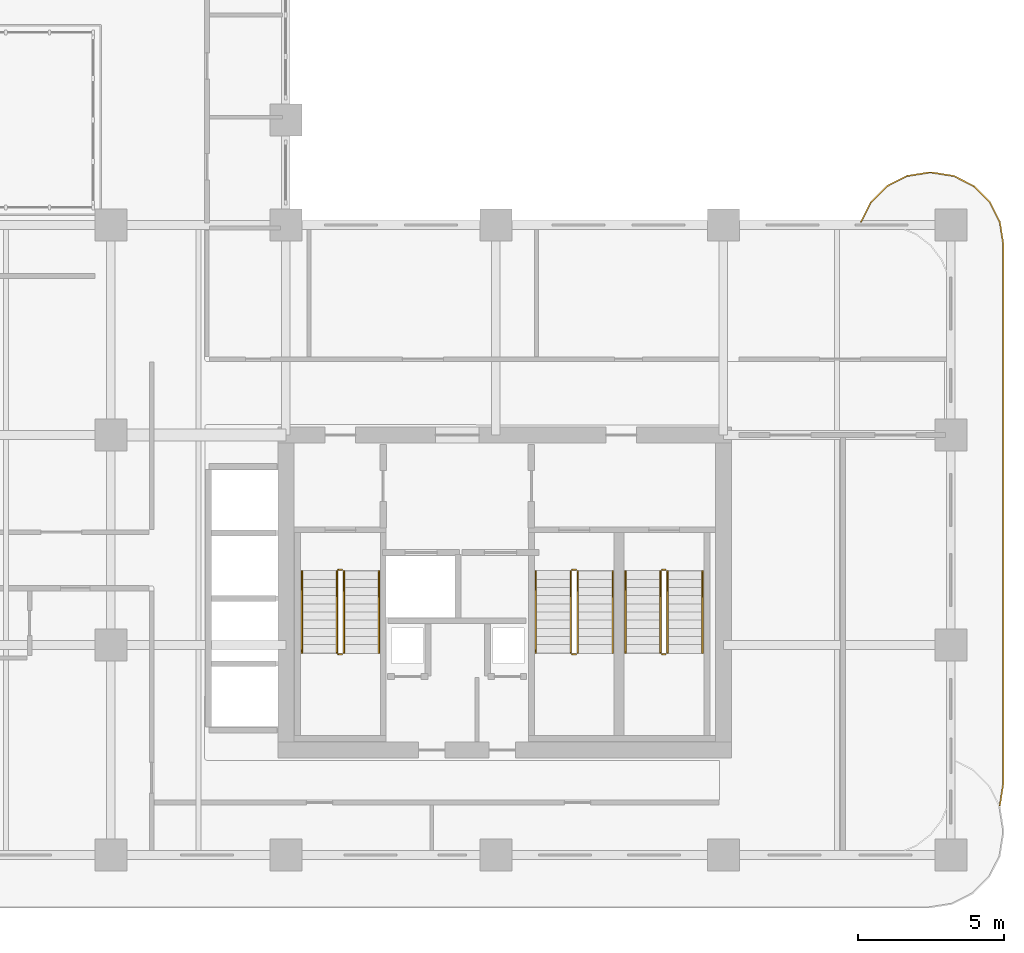
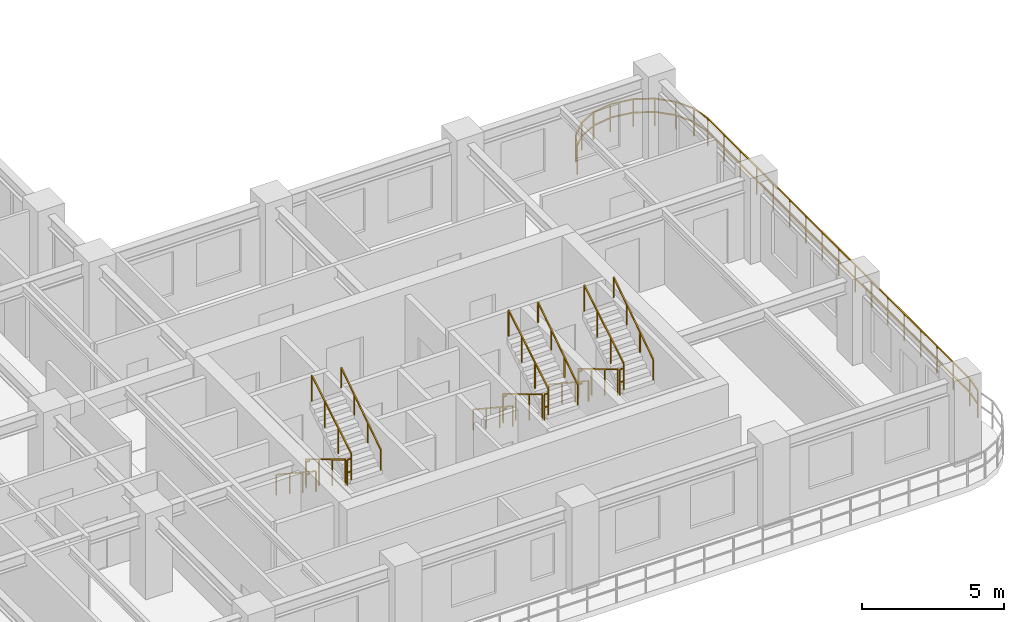
# One storey, part 17 of 19: 19 railings.
"""IFC4 building model written with IfcOpenShell, lengths in metres."""

import ifcopenshell
import ifcopenshell.guid

model = None  # the IFC model being written
_history = None  # IfcOwnerHistory: only IFC2X3 demands one
_inside = {}  # id of a spatial element -> (the spatial element, [elements in it])
_under = {}  # id of a project, library or spatial element -> (it, [spatial elements below it])
_declared = {}  # id of a project -> (the project, [libraries it declares])
_typed = {}  # id of a type object -> (the type object, [elements of that type])
_made_of = {}  # id of a material, layer set ... -> (it, [elements and type objects made of it])


def new_model(schema):
    """Start an empty IFC model of exactly this schema.

    Asked for "IFC4X3", IfcOpenShell would pick the latest addendum, in which some entities
    have other attributes; the version numbers below select the first issue.
    IFC2X3 requires an IfcOwnerHistory on every rooted entity: one is made here for all.
    """
    global model, _history
    if schema == "IFC4X3":
        model = ifcopenshell.file(schema_version=(4, 3, 0, 0))
    else:
        model = ifcopenshell.file(schema=schema)
    _inside.clear()
    _under.clear()
    _declared.clear()
    _typed.clear()
    _made_of.clear()
    _history = None
    if model.schema == "IFC2X3":
        org = make("IfcOrganization", Name="unknown")
        user = make(
            "IfcPersonAndOrganization",
            ThePerson=make("IfcPerson", FamilyName="unknown"),
            TheOrganization=org,
        )
        app = make(
            "IfcApplication",
            ApplicationDeveloper=org,
            Version="unknown",
            ApplicationFullName="unknown",
            ApplicationIdentifier="unknown",
        )
        _history = make(
            "IfcOwnerHistory",
            OwningUser=user,
            OwningApplication=app,
            ChangeAction="ADDED",
            CreationDate=0,
        )
    return model


def make(cls, **values):
    """One entity of the class cls with the attributes given. An attribute that is None is left unset."""
    return model.create_entity(
        cls, **{name: value for name, value in values.items() if value is not None}
    )


def rooted(cls, **values):
    """An entity with a GlobalId (a new one), such as an element, a storey or a relation."""
    return make(cls, GlobalId=ifcopenshell.guid.new(), OwnerHistory=_history, **values)


def si_unit(unit_type, name, prefix=None):
    """IfcSIUnit, for example si_unit("LENGTHUNIT", "METRE", prefix="MILLI")."""
    return make("IfcSIUnit", UnitType=unit_type, Prefix=prefix, Name=name)


def derived_unit(unit_type, elements):
    """IfcDerivedUnit: a product of units, each with its exponent."""
    return make(
        "IfcDerivedUnit",
        Elements=[
            make("IfcDerivedUnitElement", Unit=unit, Exponent=power)
            for unit, power in elements
        ],
        UnitType=unit_type,
    )


def assignment(units):
    """IfcUnitAssignment: the units of a project."""
    return None if units is None else make("IfcUnitAssignment", Units=units)


def point(xyz):
    """IfcCartesianPoint."""
    return None if xyz is None else make("IfcCartesianPoint", Coordinates=xyz)


def direction(xyz):
    """IfcDirection."""
    return None if xyz is None else make("IfcDirection", DirectionRatios=xyz)


def frame(location, z_axis=None, x_axis=None):
    """IfcAxis2Placement3D, a coordinate frame: its origin and axes. An axis left out is left unset."""
    return make(
        "IfcAxis2Placement3D",
        Location=point(location),
        Axis=direction(z_axis),
        RefDirection=direction(x_axis),
    )


def frame_2d(location, x_axis=None):
    """IfcAxis2Placement2D, a coordinate frame in the plane: its origin and x axis."""
    return make(
        "IfcAxis2Placement2D", Location=point(location), RefDirection=direction(x_axis)
    )


def origin():
    """The frame at (0, 0, 0) with its axes left unset."""
    return frame((0.0, 0.0, 0.0))


def origin_2d():
    """The frame at (0, 0) in the plane with its x axis left unset."""
    return frame_2d((0.0, 0.0))


def place(relative_to, where):
    """IfcLocalPlacement: puts the frame where relative to a parent placement (None: the world)."""
    return make(
        "IfcLocalPlacement", PlacementRelTo=relative_to, RelativePlacement=where
    )


def context(
    kind, dimensions, precision=None, world=None, true_north=None, identifier=None
):
    """IfcGeometricRepresentationContext, for example the 3D "Model" context."""
    return make(
        "IfcGeometricRepresentationContext",
        ContextIdentifier=identifier,
        ContextType=kind,
        CoordinateSpaceDimension=dimensions,
        Precision=precision,
        WorldCoordinateSystem=world,
        TrueNorth=true_north,
    )


def subcontext(parent, identifier, kind, view, scale=None):
    """IfcGeometricRepresentationSubContext, for example "Body" below "Model"."""
    return make(
        "IfcGeometricRepresentationSubContext",
        ContextIdentifier=identifier,
        ContextType=kind,
        ParentContext=parent,
        TargetScale=scale,
        TargetView=view,
    )


def project(units=None, contexts=None):
    """IfcProject with its units and contexts."""
    return rooted(
        "IfcProject",
        Name="project",
        RepresentationContexts=contexts,
        UnitsInContext=assignment(units),
    )


def spatial(cls, under=None, at=None, **own):
    """A site, building, storey or space (cls), placed at a placement, below another one or the project."""
    s = rooted(cls, ObjectPlacement=at, **own)
    if under is not None:
        _under.setdefault(under.id(), (under, []))[1].append(s)
    return s


def profile(cls, at=None, kind="AREA", **sizes):
    """A parametric profile (cls). Its sizes go by their IFC names, for example OverallWidth=200.0."""
    return make(cls, ProfileType=kind, Position=at, **sizes)


def rectangle(**sizes):
    """IfcRectangleProfileDef."""
    return profile("IfcRectangleProfileDef", **sizes)


def extrude(swept, where, along, depth):
    """IfcExtrudedAreaSolid: the profile swept, set in the frame where, extruded along a direction by depth."""
    return make(
        "IfcExtrudedAreaSolid",
        SweptArea=swept,
        Position=where,
        ExtrudedDirection=direction(along),
        Depth=depth,
    )


def shape(context_of_items, identifier, shape_type, items):
    """IfcShapeRepresentation: the items that make up one representation, for example the "Body"."""
    return make(
        "IfcShapeRepresentation",
        ContextOfItems=context_of_items,
        RepresentationIdentifier=identifier,
        RepresentationType=shape_type,
        Items=items,
    )


def material(Name=None, Category=None):
    """IfcMaterial."""
    return make("IfcMaterial", Name=Name, Category=Category)


def made_of(thing, what):
    """Note that an element or type object is made of a material, layer set ...; save() writes the relation."""
    if what is not None:
        _made_of.setdefault(what.id(), (what, []))[1].append(thing)
    return thing


def type_object(cls, material=None, **own):
    """A type object (cls), such as IfcWallType, which elements share."""
    return made_of(rooted(cls, **own), material)


def element(
    cls,
    number,
    at=None,
    inside=None,
    cuts=None,
    type_object=None,
    material=None,
    context=None,
    identifier="Body",
    shape_type=None,
    held_by="IfcProductDefinitionShape",
    body=None,
    shapes=None,
    **own,
):
    """One element of the class cls, such as IfcWall. Its Tag is "e" and its number.

    at: its placement. inside: the storey or other place that contains it. cuts: it is an
    opening in that element (IfcRelVoidsElement). A single representation is given by context,
    identifier, shape_type and body (its items); several are given by shapes. held_by: the class
    of the entity that holds the representations. save() writes the other relations.
    """
    e = rooted(cls, Tag="e%d" % number, ObjectPlacement=at, **own)
    if body is not None:
        shapes = [shape(context, identifier, shape_type, body)]
    if shapes is not None:
        e.Representation = make(held_by, Representations=shapes)
    if inside is not None:
        _inside.setdefault(inside.id(), (inside, []))[1].append(e)
    if cuts is not None:
        rooted(
            "IfcRelVoidsElement", RelatingBuildingElement=cuts, RelatedOpeningElement=e
        )
    if type_object is not None:
        _typed.setdefault(type_object.id(), (type_object, []))[1].append(e)
    return made_of(e, material)


def aggregate(whole, parts):
    """IfcRelAggregates: a whole, such as a stair, and the parts it consists of."""
    return rooted("IfcRelAggregates", RelatingObject=whole, RelatedObjects=parts)


def save(model, path):
    """Write the relations noted so far, then the file.

    IfcRelAggregates (storeys below a building ...), IfcRelContainedInSpatialStructure (elements
    in a storey), IfcRelDefinesByType, IfcRelAssociatesMaterial and IfcRelDeclares: one each for
    every whole, place, type object, material and project.
    """
    for whole, parts in _under.values():
        aggregate(whole, parts)
    for where, things in _inside.values():
        rooted(
            "IfcRelContainedInSpatialStructure",
            RelatedElements=things,
            RelatingStructure=where,
        )
    for kind, things in _typed.values():
        rooted("IfcRelDefinesByType", RelatedObjects=things, RelatingType=kind)
    for what, things in _made_of.values():
        rooted("IfcRelAssociatesMaterial", RelatedObjects=things, RelatingMaterial=what)
    for by, libraries in _declared.values():
        rooted("IfcRelDeclares", RelatingContext=by, RelatedDefinitions=libraries)
    model.write(path)


model = new_model("IFC4")

# Units and contexts
model_context = context("Model", 3, precision=1e-05, world=origin(), true_north=direction((0.0, 1.0)))
body_context = subcontext(model_context, "Body", "Model", "MODEL_VIEW")
ifc_project = project(units=[si_unit("LENGTHUNIT", "METRE"), si_unit("AREAUNIT", "SQUARE_METRE"), si_unit("VOLUMEUNIT", "CUBIC_METRE"), si_unit("PLANEANGLEUNIT", "RADIAN"), si_unit("MASSUNIT", "GRAM", prefix="KILO"), si_unit("THERMODYNAMICTEMPERATUREUNIT", "KELVIN"), si_unit("POWERUNIT", "WATT"), derived_unit("THERMALTRANSMITTANCEUNIT", [(si_unit("POWERUNIT", "WATT"), 1), (si_unit("AREAUNIT", "SQUARE_METRE"), -1), (si_unit("THERMODYNAMICTEMPERATUREUNIT", "KELVIN"), -1)])], contexts=[model_context])

# Site, building, storey
site_placement = place(None, origin())
site = spatial("IfcSite", under=ifc_project, at=site_placement, CompositionType="ELEMENT")
building_placement = place(site_placement, origin())
building = spatial("IfcBuilding", under=site, at=building_placement, Name="Zahravan Archway Hotel and Residences", CompositionType="ELEMENT")
storey_placement = place(building_placement, frame((0.0, 0.0, 102.699951171875)))
storey = spatial("IfcBuildingStorey", under=building, at=storey_placement, Name="L25", CompositionType="ELEMENT", Elevation=102.699951171875)

# Railings
ifc_material_1 = material(Name="Bronze & Laminated Glass Balustrade", Category="glass")
railing_type_1 = type_object("IfcRailingType", Name="RL-BAL-1200", PredefinedType="BALUSTRADE", material=ifc_material_1)
railing_1_placement = place(storey_placement, frame((54.52001953125, 21.70703125, 0.0)))
element("IfcRailing", 1, at=railing_1_placement, inside=storey, type_object=railing_type_1, Name="L25 Balustrade RL-SLB-BAL-L25-EA-1", PredefinedType="BALUSTRADE", context=body_context, shape_type="SweptSolid", body=[
    extrude(rectangle(XDim=0.048095703125, YDim=0.048095703125, at=origin_2d()), frame((0.0, 0.0, 1.17578125), z_axis=(0.453825591531, 0.891090529897, 0.0), x_axis=(-0.891090529897, 0.453825591531, 0.0)), (0.0, 0.0, 1.0), 0.7666015625),
    extrude(rectangle(XDim=0.048095703125, YDim=0.048095703125, at=origin_2d()), frame((0.0, 0.0, 0.60009765625), z_axis=(0.453825591531, 0.891090529897, 0.0), x_axis=(-0.891090529897, 0.453825591531, 0.0)), (0.0, 0.0, 1.0), 0.7666015625),
    extrude(rectangle(XDim=0.048095703125, YDim=0.048095703125, at=origin_2d()), frame((0.347900390625, 0.68310546875, 1.17578125), z_axis=(0.707106781187, 0.707106781187, 0.0), x_axis=(-0.707106781187, 0.707106781187, 0.0)), (0.0, 0.0, 1.0), 0.7666015625),
    extrude(rectangle(XDim=0.048095703125, YDim=0.048095703125, at=origin_2d()), frame((0.347900390625, 0.68310546875, 0.60009765625), z_axis=(0.707106781187, 0.707106781187, 0.0), x_axis=(-0.707106781187, 0.707106781187, 0.0)), (0.0, 0.0, 1.0), 0.7666015625),
    extrude(rectangle(XDim=0.048095703125, YDim=0.048095703125, at=origin_2d()), frame((0.889892578125, 1.22509765625, 1.17578125), z_axis=(0.891090529897, 0.453825591531, 0.0), x_axis=(-0.453825591531, 0.891090529897, 0.0)), (0.0, 0.0, 1.0), 0.7666015625),
    extrude(rectangle(XDim=0.048095703125, YDim=0.048095703125, at=origin_2d()), frame((0.889892578125, 1.22509765625, 0.60009765625), z_axis=(0.891090529897, 0.453825591531, 0.0), x_axis=(-0.453825591531, 0.891090529897, 0.0)), (0.0, 0.0, 1.0), 0.7666015625),
    extrude(rectangle(XDim=0.048095703125, YDim=0.048095703125, at=origin_2d()), frame((1.572998046875, 1.572998046875, 1.17578125), z_axis=(0.987695728695, 0.156387811283, 0.0), x_axis=(-0.156387811283, 0.987695728695, 0.0)), (0.0, 0.0, 1.0), 0.7666015625),
    extrude(rectangle(XDim=0.048095703125, YDim=0.048095703125, at=origin_2d()), frame((1.572998046875, 1.572998046875, 0.60009765625), z_axis=(0.987695728695, 0.156387811283, 0.0), x_axis=(-0.156387811283, 0.987695728695, 0.0)), (0.0, 0.0, 1.0), 0.7666015625),
    extrude(rectangle(XDim=0.048095703125, YDim=0.048095703125, at=origin_2d()), frame((2.330078125, 1.69287109375, 1.17578125), z_axis=(1.0, 0.0, 0.0), x_axis=(0.0, 1.0, 0.0)), (0.0, 0.0, 1.0), 0.099853515625),
    extrude(rectangle(XDim=0.048095703125, YDim=0.048095703125, at=origin_2d()), frame((2.330078125, 1.69287109375, 0.60009765625), z_axis=(1.0, 0.0, 0.0), x_axis=(0.0, 1.0, 0.0)), (0.0, 0.0, 1.0), 0.099853515625),
    extrude(rectangle(XDim=0.048095703125, YDim=0.048095703125, at=origin_2d()), frame((2.429931640625, 1.69287109375, 1.17578125), z_axis=(0.987695728695, -0.156387811283, 0.0), x_axis=(0.156387811283, 0.987695728695, 0.0)), (0.0, 0.0, 1.0), 0.7666015625),
    extrude(rectangle(XDim=0.048095703125, YDim=0.048095703125, at=origin_2d()), frame((2.429931640625, 1.69287109375, 0.60009765625), z_axis=(0.987695728695, -0.156387811283, 0.0), x_axis=(0.156387811283, 0.987695728695, 0.0)), (0.0, 0.0, 1.0), 0.7666015625),
    extrude(rectangle(XDim=0.048095703125, YDim=0.048095703125, at=origin_2d()), frame((3.18701171875, 1.572998046875, 1.17578125), z_axis=(0.891090529897, -0.453825591531, 0.0), x_axis=(0.453825591531, 0.891090529897, 0.0)), (0.0, 0.0, 1.0), 0.7666015625),
    extrude(rectangle(XDim=0.048095703125, YDim=0.048095703125, at=origin_2d()), frame((3.18701171875, 1.572998046875, 0.60009765625), z_axis=(0.891090529897, -0.453825591531, 0.0), x_axis=(0.453825591531, 0.891090529897, 0.0)), (0.0, 0.0, 1.0), 0.7666015625),
    extrude(rectangle(XDim=0.048095703125, YDim=0.048095703125, at=origin_2d()), frame((3.8701171875, 1.22509765625, 1.17578125), z_axis=(0.707106781187, -0.707106781187, 0.0), x_axis=(0.707106781187, 0.707106781187, 0.0)), (0.0, 0.0, 1.0), 0.7666015625),
    extrude(rectangle(XDim=0.048095703125, YDim=0.048095703125, at=origin_2d()), frame((3.8701171875, 1.22509765625, 0.60009765625), z_axis=(0.707106781187, -0.707106781187, 0.0), x_axis=(0.707106781187, 0.707106781187, 0.0)), (0.0, 0.0, 1.0), 0.7666015625),
    extrude(rectangle(XDim=0.048095703125, YDim=0.048095703125, at=origin_2d()), frame((4.412109375, 0.68310546875, 1.17578125), z_axis=(0.453825591531, -0.891090529897, 0.0), x_axis=(0.891090529897, 0.453825591531, 0.0)), (0.0, 0.0, 1.0), 0.7666015625),
    extrude(rectangle(XDim=0.048095703125, YDim=0.048095703125, at=origin_2d()), frame((4.412109375, 0.68310546875, 0.60009765625), z_axis=(0.453825591531, -0.891090529897, 0.0), x_axis=(0.891090529897, 0.453825591531, 0.0)), (0.0, 0.0, 1.0), 0.7666015625),
    extrude(rectangle(XDim=0.048095703125, YDim=0.048095703125, at=origin_2d()), frame((4.760009765625, 0.0, 1.17578125), z_axis=(0.156387811283, -0.987695728695, 0.0), x_axis=(0.987695728695, 0.156387811283, 0.0)), (0.0, 0.0, 1.0), 0.7666015625),
    extrude(rectangle(XDim=0.048095703125, YDim=0.048095703125, at=origin_2d()), frame((4.760009765625, 0.0, 0.60009765625), z_axis=(0.156387811283, -0.987695728695, 0.0), x_axis=(0.987695728695, 0.156387811283, 0.0)), (0.0, 0.0, 1.0), 0.7666015625),
    extrude(rectangle(XDim=0.048095703125, YDim=0.048095703125, at=origin_2d()), frame((4.8798828125, -0.757080078125, 1.17578125), z_axis=(0.0, -1.0, 0.0), x_axis=(1.0, 0.0, 0.0)), (0.0, 0.0, 1.0), 18.5),
    extrude(rectangle(XDim=0.048095703125, YDim=0.048095703125, at=origin_2d()), frame((4.8798828125, -0.757080078125, 0.60009765625), z_axis=(0.0, -1.0, 0.0), x_axis=(1.0, 0.0, 0.0)), (0.0, 0.0, 1.0), 18.5),
    extrude(rectangle(XDim=0.048095703125, YDim=0.048095703125, at=origin_2d()), frame((4.8798828125, -19.257080078125, 1.17578125), z_axis=(-0.156387811283, -0.987695728695, 0.0), x_axis=(0.987695728695, -0.156387811283, 0.0)), (0.0, 0.0, 1.0), 0.7666015625),
    extrude(rectangle(XDim=0.048095703125, YDim=0.048095703125, at=origin_2d()), frame((4.8798828125, -19.257080078125, 0.60009765625), z_axis=(-0.156387811283, -0.987695728695, 0.0), x_axis=(0.987695728695, -0.156387811283, 0.0)), (0.0, 0.0, 1.0), 0.7666015625),
    extrude(rectangle(XDim=0.0419921875, YDim=0.0419921875, at=origin_2d()), origin(), (0.0, 0.0, 1.0), 1.15185546875),
    extrude(rectangle(XDim=0.0419921875, YDim=0.0419921875, at=origin_2d()), frame((0.347900390625, 0.68310546875, 0.0)), (0.0, 0.0, 1.0), 1.15185546875),
    extrude(rectangle(XDim=0.0419921875, YDim=0.0419921875, at=origin_2d()), frame((0.889892578125, 1.22509765625, 0.0)), (0.0, 0.0, 1.0), 1.15185546875),
    extrude(rectangle(XDim=0.0419921875, YDim=0.0419921875, at=origin_2d()), frame((1.572998046875, 1.572998046875, 0.0)), (0.0, 0.0, 1.0), 1.15185546875),
    extrude(rectangle(XDim=0.0419921875, YDim=0.0419921875, at=origin_2d()), frame((2.330078125, 1.69287109375, 0.0)), (0.0, 0.0, 1.0), 1.15185546875),
    extrude(rectangle(XDim=0.0419921875, YDim=0.0419921875, at=origin_2d()), frame((3.18701171875, 1.572998046875, 0.0)), (0.0, 0.0, 1.0), 1.15185546875),
    extrude(rectangle(XDim=0.0419921875, YDim=0.0419921875, at=origin_2d()), frame((3.8701171875, 1.22509765625, 0.0)), (0.0, 0.0, 1.0), 1.15185546875),
    extrude(rectangle(XDim=0.0419921875, YDim=0.0419921875, at=origin_2d()), frame((4.412109375, 0.68310546875, 0.0)), (0.0, 0.0, 1.0), 1.15185546875),
    extrude(rectangle(XDim=0.0419921875, YDim=0.0419921875, at=origin_2d()), frame((4.760009765625, 0.0, 0.0)), (0.0, 0.0, 1.0), 1.15185546875),
    extrude(rectangle(XDim=0.0419921875, YDim=0.0419921875, at=origin_2d()), frame((4.8798828125, -0.757080078125, 0.0)), (0.0, 0.0, 1.0), 1.15185546875),
    extrude(rectangle(XDim=0.0419921875, YDim=0.0419921875, at=origin_2d()), frame((4.8798828125, -1.913330078125, 0.0)), (0.0, 0.0, 1.0), 1.15185546875),
    extrude(rectangle(XDim=0.0419921875, YDim=0.0419921875, at=origin_2d()), frame((4.8798828125, -3.069580078125, 0.0)), (0.0, 0.0, 1.0), 1.15185546875),
    extrude(rectangle(XDim=0.0419921875, YDim=0.0419921875, at=origin_2d()), frame((4.8798828125, -4.225830078125, 0.0)), (0.0, 0.0, 1.0), 1.15185546875),
    extrude(rectangle(XDim=0.0419921875, YDim=0.0419921875, at=origin_2d()), frame((4.8798828125, -5.382080078125, 0.0)), (0.0, 0.0, 1.0), 1.15185546875),
    extrude(rectangle(XDim=0.0419921875, YDim=0.0419921875, at=origin_2d()), frame((4.8798828125, -6.538330078125, 0.0)), (0.0, 0.0, 1.0), 1.15185546875),
    extrude(rectangle(XDim=0.0419921875, YDim=0.0419921875, at=origin_2d()), frame((4.8798828125, -7.694580078125, 0.0)), (0.0, 0.0, 1.0), 1.15185546875),
    extrude(rectangle(XDim=0.0419921875, YDim=0.0419921875, at=origin_2d()), frame((4.8798828125, -8.850830078125, 0.0)), (0.0, 0.0, 1.0), 1.15185546875),
    extrude(rectangle(XDim=0.0419921875, YDim=0.0419921875, at=origin_2d()), frame((4.8798828125, -10.007080078125, 0.0)), (0.0, 0.0, 1.0), 1.15185546875),
    extrude(rectangle(XDim=0.0419921875, YDim=0.0419921875, at=origin_2d()), frame((4.8798828125, -11.163330078125, 0.0)), (0.0, 0.0, 1.0), 1.15185546875),
    extrude(rectangle(XDim=0.0419921875, YDim=0.0419921875, at=origin_2d()), frame((4.8798828125, -12.319580078125, 0.0)), (0.0, 0.0, 1.0), 1.15185546875),
    extrude(rectangle(XDim=0.0419921875, YDim=0.0419921875, at=origin_2d()), frame((4.8798828125, -13.475830078125, 0.0)), (0.0, 0.0, 1.0), 1.15185546875),
    extrude(rectangle(XDim=0.0419921875, YDim=0.0419921875, at=origin_2d()), frame((4.8798828125, -14.632080078125, 0.0)), (0.0, 0.0, 1.0), 1.15185546875),
    extrude(rectangle(XDim=0.0419921875, YDim=0.0419921875, at=origin_2d()), frame((4.8798828125, -15.788330078125, 0.0)), (0.0, 0.0, 1.0), 1.15185546875),
    extrude(rectangle(XDim=0.0419921875, YDim=0.0419921875, at=origin_2d()), frame((4.8798828125, -16.944580078125, 0.0)), (0.0, 0.0, 1.0), 1.15185546875),
    extrude(rectangle(XDim=0.0419921875, YDim=0.0419921875, at=origin_2d()), frame((4.8798828125, -18.100830078125, 0.0)), (0.0, 0.0, 1.0), 1.15185546875),
    extrude(rectangle(XDim=0.0419921875, YDim=0.0419921875, at=origin_2d()), frame((4.8798828125, -19.257080078125, 0.0)), (0.0, 0.0, 1.0), 1.15185546875),
    extrude(rectangle(XDim=0.0419921875, YDim=0.0419921875, at=origin_2d()), frame((4.760009765625, -20.01416015625, 0.0)), (0.0, 0.0, 1.0), 1.15185546875),
])
ifc_material_2 = material(Name="Painted Tubular Steel", Category="steel")
railing_type_2 = type_object("IfcRailingType", Name="RL-STG-1150", PredefinedType="GUARDRAIL", material=ifc_material_2)
railing_2_placement = place(storey_placement, frame((36.550048828125, 9.72998046875, 0.168212890625)))
element("IfcRailing", 2, at=railing_2_placement, inside=storey, type_object=railing_type_2, Name="L25 ST-A1 stair guard 1", PredefinedType="GUARDRAIL", context=body_context, shape_type="SweptSolid", body=[
    extrude(rectangle(XDim=0.048095703125, YDim=0.048095703125, at=origin_2d()), frame((0.0, 0.0, 1.1259765625), z_axis=(0.0, -0.857242210791, 0.514913383045), x_axis=(1.0, 0.0, 0.0)), (0.0, 0.0, 1.0), 3.266357421875),
    extrude(rectangle(XDim=0.0419921875, YDim=0.0419921875, at=origin_2d()), origin(), (0.0, 0.0, 1.0), 1.101806640625),
    extrude(rectangle(XDim=0.0419921875, YDim=0.0419921875, at=origin_2d()), frame((0.0, -0.933349609375, 0.560546875)), (0.0, 0.0, 1.0), 1.101806640625),
    extrude(rectangle(XDim=0.0419921875, YDim=0.0419921875, at=origin_2d()), frame((0.0, -1.86669921875, 1.121337890625)), (0.0, 0.0, 1.0), 1.101806640625),
    extrude(rectangle(XDim=0.0419921875, YDim=0.0419921875, at=origin_2d()), frame((0.0, -2.800048828125, 1.681884765625)), (0.0, 0.0, 1.0), 1.101806640625),
])
railing_3_placement = place(storey_placement, frame((36.60009765625, 6.8798828125, 1.85009765625)))
element("IfcRailing", 3, at=railing_3_placement, inside=storey, type_object=railing_type_2, Name="L25 ST-A1 stair guard 2", PredefinedType="GUARDRAIL", context=body_context, shape_type="SweptSolid", body=[
    extrude(rectangle(XDim=0.048095703125, YDim=0.048095703125, at=origin_2d()), frame((0.0, 0.0, 1.1259765625), z_axis=(1.0, 0.0, 0.0), x_axis=(0.0, 1.0, 0.0)), (0.0, 0.0, 1.0), 0.139892578125),
    extrude(rectangle(XDim=0.048095703125, YDim=0.048095703125, at=origin_2d()), frame((0.0, 0.0, 0.574951171875), z_axis=(1.0, 0.0, 0.0), x_axis=(0.0, 1.0, 0.0)), (0.0, 0.0, 1.0), 0.139892578125),
    extrude(rectangle(XDim=0.0419921875, YDim=0.0419921875, at=origin_2d()), origin(), (0.0, 0.0, 1.0), 1.101806640625),
])
railing_4_placement = place(storey_placement, frame((36.7900390625, 6.929931640625, 2.018310546875)))
element("IfcRailing", 4, at=railing_4_placement, inside=storey, type_object=railing_type_2, Name="L25 ST-A1 stair guard 3", PredefinedType="GUARDRAIL", context=body_context, shape_type="SweptSolid", body=[
    extrude(rectangle(XDim=0.048095703125, YDim=0.048095703125, at=origin_2d()), frame((0.0, 0.0, 1.1259765625), z_axis=(0.0, 0.857275202839, 0.514858452973), x_axis=(-1.0, 0.0, 0.0)), (0.0, 0.0, 1.0), 3.26611328125),
    extrude(rectangle(XDim=0.0419921875, YDim=0.0419921875, at=origin_2d()), origin(), (0.0, 0.0, 1.0), 1.101806640625),
    extrude(rectangle(XDim=0.0419921875, YDim=0.0419921875, at=origin_2d()), frame((0.0, 0.933349609375, 0.560546875)), (0.0, 0.0, 1.0), 1.101806640625),
    extrude(rectangle(XDim=0.0419921875, YDim=0.0419921875, at=origin_2d()), frame((0.0, 1.86669921875, 1.12109375)), (0.0, 0.0, 1.0), 1.101806640625),
    extrude(rectangle(XDim=0.0419921875, YDim=0.0419921875, at=origin_2d()), frame((0.0, 2.800048828125, 1.681640625)), (0.0, 0.0, 1.0), 1.101806640625),
])
railing_5_placement = place(storey_placement, frame((36.60009765625, 9.780029296875, 0.0)))
element("IfcRailing", 5, at=railing_5_placement, inside=storey, type_object=railing_type_2, Name="L25 ST-A1 stair guard 4", PredefinedType="GUARDRAIL", context=body_context, shape_type="SweptSolid", body=[
    extrude(rectangle(XDim=0.048095703125, YDim=0.048095703125, at=origin_2d()), frame((0.0, 0.0, 1.1259765625), z_axis=(1.0, 0.0, 0.0), x_axis=(0.0, 1.0, 0.0)), (0.0, 0.0, 1.0), 0.139892578125),
    extrude(rectangle(XDim=0.048095703125, YDim=0.048095703125, at=origin_2d()), frame((0.0, 0.0, 0.574951171875), z_axis=(1.0, 0.0, 0.0), x_axis=(0.0, 1.0, 0.0)), (0.0, 0.0, 1.0), 0.139892578125),
    extrude(rectangle(XDim=0.0419921875, YDim=0.0419921875, at=origin_2d()), origin(), (0.0, 0.0, 1.0), 1.101806640625),
])
railing_6_placement = place(storey_placement, frame((44.570068359375, 9.72998046875, 0.168212890625)))
element("IfcRailing", 6, at=railing_6_placement, inside=storey, type_object=railing_type_2, Name="L25 ST-A2 stair guard 1", PredefinedType="GUARDRAIL", context=body_context, shape_type="SweptSolid", body=[
    extrude(rectangle(XDim=0.048095703125, YDim=0.048095703125, at=origin_2d()), frame((0.0, 0.0, 1.1259765625), z_axis=(0.0, -0.857242210791, 0.514913383045), x_axis=(1.0, 0.0, 0.0)), (0.0, 0.0, 1.0), 3.266357421875),
    extrude(rectangle(XDim=0.0419921875, YDim=0.0419921875, at=origin_2d()), origin(), (0.0, 0.0, 1.0), 1.101806640625),
    extrude(rectangle(XDim=0.0419921875, YDim=0.0419921875, at=origin_2d()), frame((0.0, -0.933349609375, 0.560546875)), (0.0, 0.0, 1.0), 1.101806640625),
    extrude(rectangle(XDim=0.0419921875, YDim=0.0419921875, at=origin_2d()), frame((0.0, -1.86669921875, 1.121337890625)), (0.0, 0.0, 1.0), 1.101806640625),
    extrude(rectangle(XDim=0.0419921875, YDim=0.0419921875, at=origin_2d()), frame((0.0, -2.800048828125, 1.681884765625)), (0.0, 0.0, 1.0), 1.101806640625),
])
railing_7_placement = place(storey_placement, frame((44.6201171875, 6.8798828125, 1.85009765625)))
element("IfcRailing", 7, at=railing_7_placement, inside=storey, type_object=railing_type_2, Name="L25 ST-A2 stair guard 2", PredefinedType="GUARDRAIL", context=body_context, shape_type="SweptSolid", body=[
    extrude(rectangle(XDim=0.048095703125, YDim=0.048095703125, at=origin_2d()), frame((0.0, 0.0, 1.1259765625), z_axis=(1.0, 0.0, 0.0), x_axis=(0.0, 1.0, 0.0)), (0.0, 0.0, 1.0), 0.139892578125),
    extrude(rectangle(XDim=0.048095703125, YDim=0.048095703125, at=origin_2d()), frame((0.0, 0.0, 0.574951171875), z_axis=(1.0, 0.0, 0.0), x_axis=(0.0, 1.0, 0.0)), (0.0, 0.0, 1.0), 0.139892578125),
    extrude(rectangle(XDim=0.0419921875, YDim=0.0419921875, at=origin_2d()), origin(), (0.0, 0.0, 1.0), 1.101806640625),
])
railing_8_placement = place(storey_placement, frame((44.81005859375, 6.929931640625, 2.018310546875)))
element("IfcRailing", 8, at=railing_8_placement, inside=storey, type_object=railing_type_2, Name="L25 ST-A2 stair guard 3", PredefinedType="GUARDRAIL", context=body_context, shape_type="SweptSolid", body=[
    extrude(rectangle(XDim=0.048095703125, YDim=0.048095703125, at=origin_2d()), frame((0.0, 0.0, 1.1259765625), z_axis=(0.0, 0.857275202839, 0.514858452973), x_axis=(-1.0, 0.0, 0.0)), (0.0, 0.0, 1.0), 3.26611328125),
    extrude(rectangle(XDim=0.0419921875, YDim=0.0419921875, at=origin_2d()), origin(), (0.0, 0.0, 1.0), 1.101806640625),
    extrude(rectangle(XDim=0.0419921875, YDim=0.0419921875, at=origin_2d()), frame((0.0, 0.933349609375, 0.560546875)), (0.0, 0.0, 1.0), 1.101806640625),
    extrude(rectangle(XDim=0.0419921875, YDim=0.0419921875, at=origin_2d()), frame((0.0, 1.86669921875, 1.12109375)), (0.0, 0.0, 1.0), 1.101806640625),
    extrude(rectangle(XDim=0.0419921875, YDim=0.0419921875, at=origin_2d()), frame((0.0, 2.800048828125, 1.681640625)), (0.0, 0.0, 1.0), 1.101806640625),
])
railing_9_placement = place(storey_placement, frame((44.6201171875, 9.780029296875, 0.0)))
element("IfcRailing", 9, at=railing_9_placement, inside=storey, type_object=railing_type_2, Name="L25 ST-A2 stair guard 4", PredefinedType="GUARDRAIL", context=body_context, shape_type="SweptSolid", body=[
    extrude(rectangle(XDim=0.048095703125, YDim=0.048095703125, at=origin_2d()), frame((0.0, 0.0, 1.1259765625), z_axis=(1.0, 0.0, 0.0), x_axis=(0.0, 1.0, 0.0)), (0.0, 0.0, 1.0), 0.139892578125),
    extrude(rectangle(XDim=0.048095703125, YDim=0.048095703125, at=origin_2d()), frame((0.0, 0.0, 0.574951171875), z_axis=(1.0, 0.0, 0.0), x_axis=(0.0, 1.0, 0.0)), (0.0, 0.0, 1.0), 0.139892578125),
    extrude(rectangle(XDim=0.0419921875, YDim=0.0419921875, at=origin_2d()), origin(), (0.0, 0.0, 1.0), 1.101806640625),
])
railing_10_placement = place(storey_placement, frame((47.64990234375, 9.72998046875, 0.168212890625)))
element("IfcRailing", 10, at=railing_10_placement, inside=storey, type_object=railing_type_2, Name="L25 ST-A3 stair guard 1", PredefinedType="GUARDRAIL", context=body_context, shape_type="SweptSolid", body=[
    extrude(rectangle(XDim=0.048095703125, YDim=0.048095703125, at=origin_2d()), frame((0.0, 0.0, 1.1259765625), z_axis=(0.0, -0.857242210791, 0.514913383045), x_axis=(1.0, 0.0, 0.0)), (0.0, 0.0, 1.0), 3.266357421875),
    extrude(rectangle(XDim=0.0419921875, YDim=0.0419921875, at=origin_2d()), origin(), (0.0, 0.0, 1.0), 1.101806640625),
    extrude(rectangle(XDim=0.0419921875, YDim=0.0419921875, at=origin_2d()), frame((0.0, -0.933349609375, 0.560546875)), (0.0, 0.0, 1.0), 1.101806640625),
    extrude(rectangle(XDim=0.0419921875, YDim=0.0419921875, at=origin_2d()), frame((0.0, -1.86669921875, 1.121337890625)), (0.0, 0.0, 1.0), 1.101806640625),
    extrude(rectangle(XDim=0.0419921875, YDim=0.0419921875, at=origin_2d()), frame((0.0, -2.800048828125, 1.681884765625)), (0.0, 0.0, 1.0), 1.101806640625),
])
railing_11_placement = place(storey_placement, frame((47.699951171875, 6.8798828125, 1.85009765625)))
element("IfcRailing", 11, at=railing_11_placement, inside=storey, type_object=railing_type_2, Name="L25 ST-A3 stair guard 2", PredefinedType="GUARDRAIL", context=body_context, shape_type="SweptSolid", body=[
    extrude(rectangle(XDim=0.048095703125, YDim=0.048095703125, at=origin_2d()), frame((0.0, 0.0, 1.1259765625), z_axis=(1.0, 0.0, 0.0), x_axis=(0.0, 1.0, 0.0)), (0.0, 0.0, 1.0), 0.14013671875),
    extrude(rectangle(XDim=0.048095703125, YDim=0.048095703125, at=origin_2d()), frame((0.0, 0.0, 0.574951171875), z_axis=(1.0, 0.0, 0.0), x_axis=(0.0, 1.0, 0.0)), (0.0, 0.0, 1.0), 0.14013671875),
    extrude(rectangle(XDim=0.0419921875, YDim=0.0419921875, at=origin_2d()), origin(), (0.0, 0.0, 1.0), 1.101806640625),
])
railing_12_placement = place(storey_placement, frame((47.889892578125, 6.929931640625, 2.018310546875)))
element("IfcRailing", 12, at=railing_12_placement, inside=storey, type_object=railing_type_2, Name="L25 ST-A3 stair guard 3", PredefinedType="GUARDRAIL", context=body_context, shape_type="SweptSolid", body=[
    extrude(rectangle(XDim=0.048095703125, YDim=0.048095703125, at=origin_2d()), frame((0.0, 0.0, 1.1259765625), z_axis=(0.0, 0.857275202839, 0.514858452973), x_axis=(-1.0, 0.0, 0.0)), (0.0, 0.0, 1.0), 3.26611328125),
    extrude(rectangle(XDim=0.0419921875, YDim=0.0419921875, at=origin_2d()), origin(), (0.0, 0.0, 1.0), 1.101806640625),
    extrude(rectangle(XDim=0.0419921875, YDim=0.0419921875, at=origin_2d()), frame((0.0, 0.933349609375, 0.560546875)), (0.0, 0.0, 1.0), 1.101806640625),
    extrude(rectangle(XDim=0.0419921875, YDim=0.0419921875, at=origin_2d()), frame((0.0, 1.86669921875, 1.12109375)), (0.0, 0.0, 1.0), 1.101806640625),
    extrude(rectangle(XDim=0.0419921875, YDim=0.0419921875, at=origin_2d()), frame((0.0, 2.800048828125, 1.681640625)), (0.0, 0.0, 1.0), 1.101806640625),
])
railing_13_placement = place(storey_placement, frame((47.699951171875, 9.780029296875, 0.0)))
element("IfcRailing", 13, at=railing_13_placement, inside=storey, type_object=railing_type_2, Name="L25 ST-A3 stair guard 4", PredefinedType="GUARDRAIL", context=body_context, shape_type="SweptSolid", body=[
    extrude(rectangle(XDim=0.048095703125, YDim=0.048095703125, at=origin_2d()), frame((0.0, 0.0, 1.1259765625), z_axis=(1.0, 0.0, 0.0), x_axis=(0.0, 1.0, 0.0)), (0.0, 0.0, 1.0), 0.14013671875),
    extrude(rectangle(XDim=0.048095703125, YDim=0.048095703125, at=origin_2d()), frame((0.0, 0.0, 0.574951171875), z_axis=(1.0, 0.0, 0.0), x_axis=(0.0, 1.0, 0.0)), (0.0, 0.0, 1.0), 0.14013671875),
    extrude(rectangle(XDim=0.0419921875, YDim=0.0419921875, at=origin_2d()), origin(), (0.0, 0.0, 1.0), 1.101806640625),
])
ifc_material_3 = material(Name="Brushed Stainless Steel", Category="steel")
railing_type_3 = type_object("IfcRailingType", Name="RL-STH-900", PredefinedType="HANDRAIL", material=ifc_material_3)
railing_14_placement = place(storey_placement, frame((35.35009765625, 9.72998046875, 0.168212890625)))
element("IfcRailing", 14, at=railing_14_placement, inside=storey, type_object=railing_type_3, Name="L25 ST-A1 stair handrail 1", PredefinedType="HANDRAIL", context=body_context, shape_type="SweptSolid", body=[
    extrude(rectangle(XDim=0.048095703125, YDim=0.048095703125, at=origin_2d()), frame((0.0, 0.0, 0.8759765625), z_axis=(0.0, -0.834326358476, 0.551270829586), x_axis=(1.0, 0.0, 0.0)), (0.0, 0.0, 1.0), 3.35595703125),
    extrude(rectangle(XDim=0.0419921875, YDim=0.0419921875, at=origin_2d()), origin(), (0.0, 0.0, 1.0), 0.851806640625),
    extrude(rectangle(XDim=0.0419921875, YDim=0.0419921875, at=origin_2d()), frame((0.0, -0.933349609375, 0.61669921875)), (0.0, 0.0, 1.0), 0.851806640625),
    extrude(rectangle(XDim=0.0419921875, YDim=0.0419921875, at=origin_2d()), frame((0.0, -1.86669921875, 1.2333984375)), (0.0, 0.0, 1.0), 0.851806640625),
    extrude(rectangle(XDim=0.0419921875, YDim=0.0419921875, at=origin_2d()), frame((0.0, -2.800048828125, 1.85009765625)), (0.0, 0.0, 1.0), 0.851806640625),
])
railing_15_placement = place(storey_placement, frame((37.989990234375, 6.929931640625, 2.018310546875)))
element("IfcRailing", 15, at=railing_15_placement, inside=storey, type_object=railing_type_3, Name="L25 ST-A1 stair handrail 2", PredefinedType="HANDRAIL", context=body_context, shape_type="SweptSolid", body=[
    extrude(rectangle(XDim=0.048095703125, YDim=0.048095703125, at=origin_2d()), frame((0.0, 0.0, 0.8759765625), z_axis=(0.0, 0.83435981716, 0.551220187865), x_axis=(-1.0, 0.0, 0.0)), (0.0, 0.0, 1.0), 3.35595703125),
    extrude(rectangle(XDim=0.0419921875, YDim=0.0419921875, at=origin_2d()), origin(), (0.0, 0.0, 1.0), 0.851806640625),
    extrude(rectangle(XDim=0.0419921875, YDim=0.0419921875, at=origin_2d()), frame((0.0, 0.933349609375, 0.61669921875)), (0.0, 0.0, 1.0), 0.851806640625),
    extrude(rectangle(XDim=0.0419921875, YDim=0.0419921875, at=origin_2d()), frame((0.0, 1.86669921875, 1.233154296875)), (0.0, 0.0, 1.0), 0.851806640625),
    extrude(rectangle(XDim=0.0419921875, YDim=0.0419921875, at=origin_2d()), frame((0.0, 2.800048828125, 1.849853515625)), (0.0, 0.0, 1.0), 0.851806640625),
])
railing_16_placement = place(storey_placement, frame((43.3701171875, 9.72998046875, 0.168212890625)))
element("IfcRailing", 16, at=railing_16_placement, inside=storey, type_object=railing_type_3, Name="L25 ST-A2 stair handrail 1", PredefinedType="HANDRAIL", context=body_context, shape_type="SweptSolid", body=[
    extrude(rectangle(XDim=0.048095703125, YDim=0.048095703125, at=origin_2d()), frame((0.0, 0.0, 0.8759765625), z_axis=(0.0, -0.834326358476, 0.551270829586), x_axis=(1.0, 0.0, 0.0)), (0.0, 0.0, 1.0), 3.35595703125),
    extrude(rectangle(XDim=0.0419921875, YDim=0.0419921875, at=origin_2d()), origin(), (0.0, 0.0, 1.0), 0.851806640625),
    extrude(rectangle(XDim=0.0419921875, YDim=0.0419921875, at=origin_2d()), frame((0.0, -0.933349609375, 0.61669921875)), (0.0, 0.0, 1.0), 0.851806640625),
    extrude(rectangle(XDim=0.0419921875, YDim=0.0419921875, at=origin_2d()), frame((0.0, -1.86669921875, 1.2333984375)), (0.0, 0.0, 1.0), 0.851806640625),
    extrude(rectangle(XDim=0.0419921875, YDim=0.0419921875, at=origin_2d()), frame((0.0, -2.800048828125, 1.85009765625)), (0.0, 0.0, 1.0), 0.851806640625),
])
railing_17_placement = place(storey_placement, frame((46.010009765625, 6.929931640625, 2.018310546875)))
element("IfcRailing", 17, at=railing_17_placement, inside=storey, type_object=railing_type_3, Name="L25 ST-A2 stair handrail 2", PredefinedType="HANDRAIL", context=body_context, shape_type="SweptSolid", body=[
    extrude(rectangle(XDim=0.048095703125, YDim=0.048095703125, at=origin_2d()), frame((0.0, 0.0, 0.8759765625), z_axis=(0.0, 0.83435981716, 0.551220187865), x_axis=(-1.0, 0.0, 0.0)), (0.0, 0.0, 1.0), 3.35595703125),
    extrude(rectangle(XDim=0.0419921875, YDim=0.0419921875, at=origin_2d()), origin(), (0.0, 0.0, 1.0), 0.851806640625),
    extrude(rectangle(XDim=0.0419921875, YDim=0.0419921875, at=origin_2d()), frame((0.0, 0.933349609375, 0.61669921875)), (0.0, 0.0, 1.0), 0.851806640625),
    extrude(rectangle(XDim=0.0419921875, YDim=0.0419921875, at=origin_2d()), frame((0.0, 1.86669921875, 1.233154296875)), (0.0, 0.0, 1.0), 0.851806640625),
    extrude(rectangle(XDim=0.0419921875, YDim=0.0419921875, at=origin_2d()), frame((0.0, 2.800048828125, 1.849853515625)), (0.0, 0.0, 1.0), 0.851806640625),
])
railing_18_placement = place(storey_placement, frame((46.449951171875, 9.72998046875, 0.168212890625)))
element("IfcRailing", 18, at=railing_18_placement, inside=storey, type_object=railing_type_3, Name="L25 ST-A3 stair handrail 1", PredefinedType="HANDRAIL", context=body_context, shape_type="SweptSolid", body=[
    extrude(rectangle(XDim=0.048095703125, YDim=0.048095703125, at=origin_2d()), frame((0.0, 0.0, 0.8759765625), z_axis=(0.0, -0.834326358476, 0.551270829586), x_axis=(1.0, 0.0, 0.0)), (0.0, 0.0, 1.0), 3.35595703125),
    extrude(rectangle(XDim=0.0419921875, YDim=0.0419921875, at=origin_2d()), origin(), (0.0, 0.0, 1.0), 0.851806640625),
    extrude(rectangle(XDim=0.0419921875, YDim=0.0419921875, at=origin_2d()), frame((0.0, -0.933349609375, 0.61669921875)), (0.0, 0.0, 1.0), 0.851806640625),
    extrude(rectangle(XDim=0.0419921875, YDim=0.0419921875, at=origin_2d()), frame((0.0, -1.86669921875, 1.2333984375)), (0.0, 0.0, 1.0), 0.851806640625),
    extrude(rectangle(XDim=0.0419921875, YDim=0.0419921875, at=origin_2d()), frame((0.0, -2.800048828125, 1.85009765625)), (0.0, 0.0, 1.0), 0.851806640625),
])
railing_19_placement = place(storey_placement, frame((49.090087890625, 6.929931640625, 2.018310546875)))
element("IfcRailing", 19, at=railing_19_placement, inside=storey, type_object=railing_type_3, Name="L25 ST-A3 stair handrail 2", PredefinedType="HANDRAIL", context=body_context, shape_type="SweptSolid", body=[
    extrude(rectangle(XDim=0.048095703125, YDim=0.048095703125, at=origin_2d()), frame((0.0, 0.0, 0.8759765625), z_axis=(0.0, 0.83435981716, 0.551220187865), x_axis=(-1.0, 0.0, 0.0)), (0.0, 0.0, 1.0), 3.35595703125),
    extrude(rectangle(XDim=0.0419921875, YDim=0.0419921875, at=origin_2d()), origin(), (0.0, 0.0, 1.0), 0.851806640625),
    extrude(rectangle(XDim=0.0419921875, YDim=0.0419921875, at=origin_2d()), frame((0.0, 0.933349609375, 0.61669921875)), (0.0, 0.0, 1.0), 0.851806640625),
    extrude(rectangle(XDim=0.0419921875, YDim=0.0419921875, at=origin_2d()), frame((0.0, 1.86669921875, 1.233154296875)), (0.0, 0.0, 1.0), 0.851806640625),
    extrude(rectangle(XDim=0.0419921875, YDim=0.0419921875, at=origin_2d()), frame((0.0, 2.800048828125, 1.849853515625)), (0.0, 0.0, 1.0), 0.851806640625),
])

save(model, "model.ifc")
